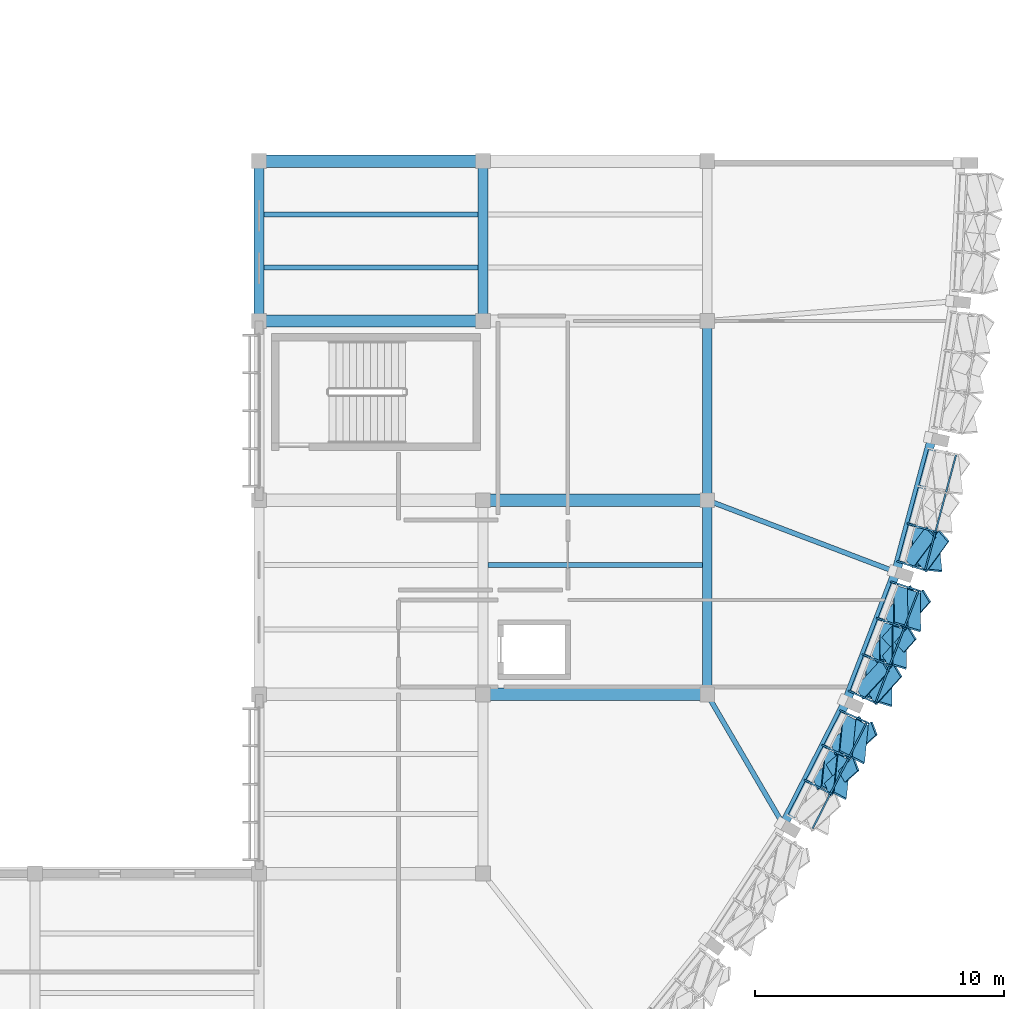
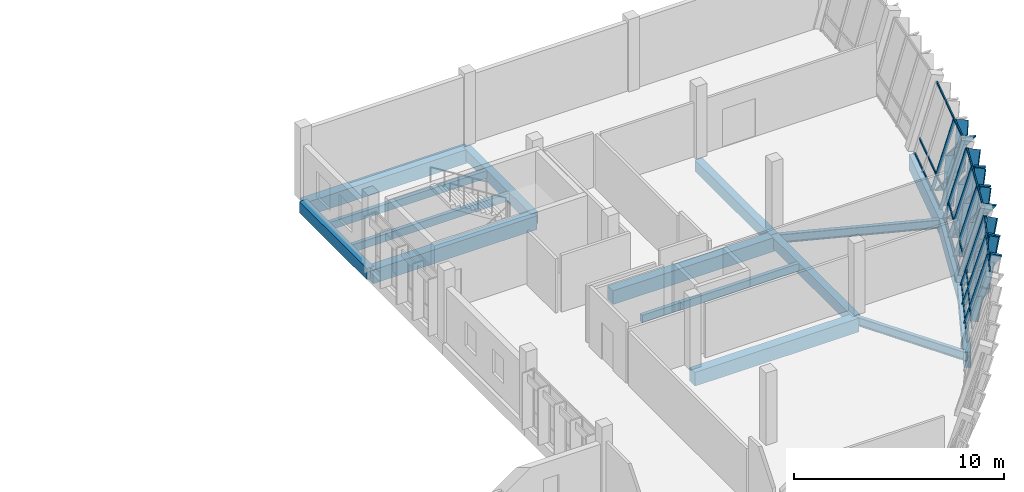
# One storey, part 56 of 107: 42 members, 16 beams, 3 elements without a shape of their own.
"""IFC4 building model written with IfcOpenShell, lengths in metres."""

from ifc_helpers import new_model, si_unit, direction, frame, origin, origin_2d, place, context, subcontext, project, spatial, rectangle, hollow_rectangle, i_section, extrude, material, material_profile, profile_set, type_object, element, aggregate, save


model = new_model("IFC4")

# Units and contexts
model_context = context("Model", 3, precision=1e-05, world=origin(), true_north=direction((0.0, 1.0)))
body_context = subcontext(model_context, "Body", "Model", "MODEL_VIEW")
ifc_project = project(units=[si_unit("LENGTHUNIT", "METRE"), si_unit("AREAUNIT", "SQUARE_METRE"), si_unit("VOLUMEUNIT", "CUBIC_METRE"), si_unit("PLANEANGLEUNIT", "RADIAN"), si_unit("MASSUNIT", "GRAM", prefix="KILO")], contexts=[model_context])

# Site, building, storey
site_placement = place(None, origin())
site = spatial("IfcSite", under=ifc_project, at=site_placement, CompositionType="ELEMENT")
building_placement = place(site_placement, origin())
building = spatial("IfcBuilding", under=site, at=building_placement, Name="Chiffa Square Polytechnic", CompositionType="ELEMENT")
storey_placement = place(building_placement, frame((0.0, 0.0, 13.800048828125)))
storey = spatial("IfcBuildingStorey", under=building, at=storey_placement, Name="L03", CompositionType="ELEMENT", Elevation=13.800048828125)

# Beams
ifc_material_1 = material(Name="Concrete C35/45", Category="concrete")
ifc_material_profile_1 = material_profile(ifc_material_1, rectangle(XDim=0.39990234375, YDim=0.64990234375, at=origin_2d()), Name="RC 400x650")
ifc_profile_set_1 = profile_set([ifc_material_profile_1], Name="Concrete C35/45")
beam_type_1 = type_object("IfcBeamType", Name="BM-RC-400X650", PredefinedType="BEAM", material=ifc_profile_set_1)
for number, where, z_axis, x_axis, name in (
    (1, (148.199951171875, 51.0, -0.5849609375), (0.0, 1.0, 0.0), (-1.0, 0.0, 0.0), "Primary floor girder BM-V1-L03-Y-1482-0510"),
    (2, (157.199951171875, 51.0, -0.5849609375), (0.0, 1.0, 0.0), (-1.0, 0.0, 0.0), "Primary floor girder BM-V1-L03-Y-1572-0510"),
):
    element("IfcBeam", number, at=place(storey_placement, frame(where, z_axis=z_axis, x_axis=x_axis)), inside=storey, type_object=beam_type_1, Name=name, PredefinedType="BEAM", context=body_context, shape_type="SweptSolid", body=[
        extrude(rectangle(XDim=0.39990234375, YDim=0.64990234375, at=origin_2d()), origin(), (0.0, 0.0, 1.0), 6.419921875),
    ])
beam_1_placement = place(storey_placement, frame((166.199951171875, 36.0, -0.5849609375), z_axis=(0.0, 1.0, 0.0), x_axis=(-1.0, 0.0, 0.0)))
element("IfcBeam", 3, at=beam_1_placement, inside=storey, type_object=beam_type_1, Name="Primary floor girder BM-V1-L03-Y-1662-0360", PredefinedType="BEAM", context=body_context, shape_type="SweptSolid", body=[
    extrude(rectangle(XDim=0.39990234375, YDim=0.64990234375, at=origin_2d()), origin(), (0.0, 0.0, 1.0), 7.800048828125),
])
beam_2_placement = place(storey_placement, frame((166.199951171875, 43.800048828125, -0.5849609375), z_axis=(0.0, 1.0, 0.0), x_axis=(-1.0, 0.0, 0.0)))
element("IfcBeam", 4, at=beam_2_placement, inside=storey, type_object=beam_type_1, Name="Primary floor girder BM-V1-L03-Y-1662-0438", PredefinedType="BEAM", context=body_context, shape_type="SweptSolid", body=[
    extrude(rectangle(XDim=0.39990234375, YDim=0.64990234375, at=origin_2d()), origin(), (0.0, 0.0, 1.0), 7.199951171875),
])
ifc_material_2 = material(Name="Concrete C40/50", Category="concrete")
ifc_material_profile_2 = material_profile(ifc_material_2, rectangle(XDim=0.5, YDim=0.800048828125, at=origin_2d()), Name="RC 500x800")
ifc_profile_set_2 = profile_set([ifc_material_profile_2], Name="Concrete C40/50")
beam_type_2 = type_object("IfcBeamType", Name="BM-RC-500X800", PredefinedType="BEAM", material=ifc_profile_set_2)
for number, where, z_axis, x_axis, name in (
    (5, (157.199951171875, 36.0, -0.66015625), (1.0, 0.0, 0.0), (0.0, 1.0, 0.0), "Primary floor girder BM-V1-L03-X-1572-0360"),
    (6, (157.199951171875, 43.800048828125, -0.66015625), (1.0, 0.0, 0.0), (0.0, 1.0, 0.0), "Primary floor girder BM-V1-L03-X-1572-0438"),
    (7, (148.199951171875, 51.0, -0.66015625), (1.0, 0.0, 0.0), (0.0, 1.0, 0.0), "Primary floor girder BM-V1-L03-X-1482-0510"),
    (8, (148.199951171875, 57.419921875, -0.66015625), (1.0, 0.0, 0.0), (0.0, 1.0, 0.0), "Primary floor girder BM-V1-L03-X-1482-0574"),
):
    element("IfcBeam", number, at=place(storey_placement, frame(where, z_axis=z_axis, x_axis=x_axis)), inside=storey, type_object=beam_type_2, Name=name, PredefinedType="BEAM", context=body_context, shape_type="SweptSolid", body=[
        extrude(rectangle(XDim=0.5, YDim=0.800048828125, at=origin_2d()), origin(), (0.0, 0.0, 1.0), 9.0),
    ])
ifc_material_3 = material(Name="Steel S355", Category="steel")
ifc_material_profile_3 = material_profile(ifc_material_3, i_section(OverallWidth=0.199951171875, OverallDepth=0.5, WebThickness=0.01025390625, FlangeThickness=0.01611328125, FilletRadius=0.02099609375, at=origin_2d()), Name="IPE 500")
ifc_profile_set_3 = profile_set([ifc_material_profile_3], Name="Steel S355")
beam_type_3 = type_object("IfcBeamType", Name="BM-STL-IPE500", PredefinedType="BEAM", material=ifc_profile_set_3)
beam_3_placement = place(storey_placement, frame((169.262939453125, 30.756103515625, -0.510009765625), z_axis=(-0.504368357763, 0.86348859847, 0.0), x_axis=(-0.86348859847, -0.504368357763, 0.0)))
element("IfcBeam", 9, at=beam_3_placement, inside=storey, type_object=beam_type_3, Name="Prow radial tie girder BM-V1-RAD-L03-13", PredefinedType="BEAM", context=body_context, shape_type="SweptSolid", body=[
    extrude(i_section(OverallWidth=0.199951171875, OverallDepth=0.5, WebThickness=0.01025390625, FlangeThickness=0.01611328125, FilletRadius=0.02099609375, at=origin_2d()), origin(), (0.0, 0.0, 1.0), 6.072998046875),
])
beam_4_placement = place(storey_placement, frame((173.784912109375, 40.9140625, -0.510009765625), z_axis=(-0.934632058525, 0.355616247065, 0.0), x_axis=(-0.355616247065, -0.934632058525, 0.0)))
element("IfcBeam", 10, at=beam_4_placement, inside=storey, type_object=beam_type_3, Name="Prow radial tie girder BM-V1-RAD-L03-15", PredefinedType="BEAM", context=body_context, shape_type="SweptSolid", body=[
    extrude(i_section(OverallWidth=0.199951171875, OverallDepth=0.5, WebThickness=0.01025390625, FlangeThickness=0.01611328125, FilletRadius=0.02099609375, at=origin_2d()), origin(), (0.0, 0.0, 1.0), 8.115478515625),
])

# Curtain wall, members
ifc_material_4 = material(Name="Aluminium EN AW-6060 T66 and glulam shading", Category="wood")
curtain_wall_type_1 = type_object("IfcCurtainWallType", Name="CW-PROW-LEAN-150", PredefinedType="USERDEFINED", material=ifc_material_4)
curtain_wall_1_placement = place(storey_placement, origin())
curtain_wall_1 = element("IfcCurtainWall", 11, at=curtain_wall_1_placement, inside=storey, type_object=curtain_wall_type_1, Name="Outward-leaning diamond-fin prow curtain wall CW-V1-L03-056", ObjectType="CURTAIN WALL", PredefinedType="USERDEFINED")
ifc_material_5 = material(Name="Aluminium EN AW-6060 T66", Category="aluminium")
ifc_material_profile_4 = material_profile(ifc_material_5, hollow_rectangle(XDim=0.06494140625, YDim=0.179931640625, WallThickness=0.00390625, at=origin_2d()), Name="ALU 65x180x4")
ifc_profile_set_4 = profile_set([ifc_material_profile_4], Name="Aluminium EN AW-6060 T66")
member_type_1 = type_object("IfcMemberType", Name="CWM-ALU-75X180", PredefinedType="MULLION", material=ifc_profile_set_4)
member_1_placement = place(storey_placement, frame((170.17041015625, 32.537109375, 0.0), z_axis=(0.240044418881, -0.127794285287, 0.962313513161), x_axis=(0.469931339753, 0.882702971513, 0.0)))
member_1 = element("IfcMember", 12, at=member_1_placement, type_object=member_type_1, Name="Leaning prow mullion CW-V1-L03-056-M01", PredefinedType="MULLION", context=body_context, shape_type="SweptSolid", body=[
    extrude(hollow_rectangle(XDim=0.06494140625, YDim=0.179931640625, WallThickness=0.00390625, at=origin_2d()), origin(), (0.0, 0.0, 1.0), 4.114990234375),
])
member_2_placement = place(storey_placement, frame((170.8828125, 33.93505859375, 0.0), z_axis=(0.244434472606, -0.119191469773, 0.962312413998), x_axis=(0.438290380807, 0.898833434009, 0.0)))
member_2 = element("IfcMember", 13, at=member_2_placement, type_object=member_type_1, Name="Leaning prow mullion CW-V1-L03-056-M02", PredefinedType="MULLION", context=body_context, shape_type="SweptSolid", body=[
    extrude(hollow_rectangle(XDim=0.06494140625, YDim=0.179931640625, WallThickness=0.00390625, at=origin_2d()), origin(), (0.0, 0.0, 1.0), 4.114990234375),
])
member_3_placement = place(storey_placement, frame((171.594970703125, 35.3330078125, 0.0), z_axis=(0.248801309028, -0.110578359568, 0.962221562334), x_axis=(0.406138466053, 0.91381154862, 0.0)))
member_3 = element("IfcMember", 14, at=member_3_placement, type_object=member_type_1, Name="Leaning prow mullion CW-V1-L03-056-M03", PredefinedType="MULLION", context=body_context, shape_type="SweptSolid", body=[
    extrude(hollow_rectangle(XDim=0.06494140625, YDim=0.179931640625, WallThickness=0.00390625, at=origin_2d()), origin(), (0.0, 0.0, 1.0), 4.115478515625),
])

curtain_wall_type_2 = type_object("IfcCurtainWallType", Name="CW-PROW-LEAN-300", PredefinedType="USERDEFINED", material=ifc_material_4)
curtain_wall_2_placement = place(storey_placement, origin())
curtain_wall_2 = element("IfcCurtainWall", 15, at=curtain_wall_2_placement, inside=storey, type_object=curtain_wall_type_2, Name="Outward-leaning diamond-fin prow curtain wall CW-V1-L03-057", ObjectType="CURTAIN WALL", PredefinedType="USERDEFINED")
member_4_placement = place(storey_placement, frame((171.944091796875, 36.116943359375, 0.0), z_axis=(0.248802940707, -0.110519761215, 0.962227872739), x_axis=(0.405956496327, 0.913892402359, 0.0)))
member_4 = element("IfcMember", 16, at=member_4_placement, type_object=member_type_1, Name="Leaning prow mullion CW-V1-L03-057-M00", PredefinedType="MULLION", context=body_context, shape_type="SweptSolid", body=[
    extrude(hollow_rectangle(XDim=0.06494140625, YDim=0.179931640625, WallThickness=0.00390625, at=origin_2d()), origin(), (0.0, 0.0, 1.0), 4.115478515625),
])
member_5_placement = place(storey_placement, frame((172.50634765625, 37.582275390625, 0.0), z_axis=(0.252207287057, -0.101689788289, 0.962315266071), x_axis=(0.373947147945, 0.927450015119, 0.0)))
member_5 = element("IfcMember", 17, at=member_5_placement, type_object=member_type_1, Name="Leaning prow mullion CW-V1-L03-057-M01", PredefinedType="MULLION", context=body_context, shape_type="SweptSolid", body=[
    extrude(hollow_rectangle(XDim=0.06494140625, YDim=0.179931640625, WallThickness=0.00390625, at=origin_2d()), origin(), (0.0, 0.0, 1.0), 4.114990234375),
])
member_6_placement = place(storey_placement, frame((173.068603515625, 39.047607421875, 0.0), z_axis=(0.255643397979, -0.092907301284, 0.962296568859), x_axis=(0.341567928404, 0.939857090353, 0.0)))
member_6 = element("IfcMember", 18, at=member_6_placement, type_object=member_type_1, Name="Leaning prow mullion CW-V1-L03-057-M02", PredefinedType="MULLION", context=body_context, shape_type="SweptSolid", body=[
    extrude(hollow_rectangle(XDim=0.06494140625, YDim=0.179931640625, WallThickness=0.00390625, at=origin_2d()), origin(), (0.0, 0.0, 1.0), 4.115234375),
])
member_7_placement = place(storey_placement, frame((173.631103515625, 40.512939453125, 0.0), z_axis=(0.259002287904, -0.084060064581, 0.962211889556), x_axis=(0.308701812847, 0.951158867248, 0.0)))
member_7 = element("IfcMember", 19, at=member_7_placement, type_object=member_type_1, Name="Leaning prow mullion CW-V1-L03-057-M03", PredefinedType="MULLION", context=body_context, shape_type="SweptSolid", body=[
    extrude(hollow_rectangle(XDim=0.06494140625, YDim=0.179931640625, WallThickness=0.00390625, at=origin_2d()), origin(), (0.0, 0.0, 1.0), 4.115478515625),
])

curtain_wall_3_placement = place(storey_placement, origin())
curtain_wall_3 = element("IfcCurtainWall", 20, at=curtain_wall_3_placement, inside=storey, type_object=curtain_wall_type_1, Name="Outward-leaning diamond-fin prow curtain wall CW-V1-L03-058", ObjectType="CURTAIN WALL", PredefinedType="USERDEFINED")
member_8_placement = place(storey_placement, frame((173.89599609375, 41.3291015625, 0.0), z_axis=(0.259000995902, -0.084118967519, 0.962207089677), x_axis=(0.308898887891, 0.95109488331, 0.0)))
member_8 = element("IfcMember", 21, at=member_8_placement, type_object=member_type_1, Name="Leaning prow mullion CW-V1-L03-058-M00", PredefinedType="MULLION", context=body_context, shape_type="SweptSolid", body=[
    extrude(hollow_rectangle(XDim=0.06494140625, YDim=0.179931640625, WallThickness=0.00390625, at=origin_2d()), origin(), (0.0, 0.0, 1.0), 4.115478515625),
])
member_9_placement = place(storey_placement, frame((174.30224609375, 42.8447265625, 0.0), z_axis=(0.261515342623, -0.074871225588, 0.962291029342), x_axis=(0.275239584915, 0.961375665854, 0.0)))
member_9 = element("IfcMember", 22, at=member_9_placement, type_object=member_type_1, Name="Leaning prow mullion CW-V1-L03-058-M01", PredefinedType="MULLION", context=body_context, shape_type="SweptSolid", body=[
    extrude(hollow_rectangle(XDim=0.06494140625, YDim=0.179931640625, WallThickness=0.00390625, at=origin_2d()), origin(), (0.0, 0.0, 1.0), 4.115234375),
])

# Member
ifc_material_6 = material(Name="Glulam GL28h", Category="wood")
ifc_material_profile_5 = material_profile(ifc_material_6, rectangle(XDim=0.080078125, YDim=0.580078125, at=origin_2d()), Name="GL28h 80x580")
ifc_profile_set_5 = profile_set([ifc_material_profile_5], Name="Glulam GL28h")
member_type_2 = type_object("IfcMemberType", Name="CWM-GL-80X580", PredefinedType="MULLION", material=ifc_profile_set_5)
member_10_placement = place(storey_placement, frame((170.553955078125, 32.43798828125, 0.0400390625), z_axis=(0.458190400297, 0.408516679537, 0.78941477033), x_axis=(-0.827129353262, -0.129224547461, 0.54695342517)))
member_10 = element("IfcMember", 23, at=member_10_placement, type_object=member_type_2, Name="Diamond glulam fin CW-V1-L03-056-DF03A", PredefinedType="MULLION", context=body_context, shape_type="SweptSolid", body=[
    extrude(rectangle(XDim=0.080078125, YDim=0.580078125, at=origin_2d()), origin(), (0.0, 0.0, 1.0), 2.45751953125),
])

member_11_placement = place(storey_placement, frame((171.18798828125, 33.68310546875, 0.0400390625), z_axis=(-0.060996888196, -0.610862973155, 0.789383181768), x_axis=(0.521628050014, 0.654756851933, 0.546989618078)))
member_11 = element("IfcMember", 24, at=member_11_placement, type_object=member_type_2, Name="Diamond glulam fin CW-V1-L03-056-DF03B", PredefinedType="MULLION", context=body_context, shape_type="SweptSolid", body=[
    extrude(rectangle(XDim=0.080078125, YDim=0.580078125, at=origin_2d()), origin(), (0.0, 0.0, 1.0), 2.45751953125),
])

member_12_placement = place(storey_placement, frame((171.0380859375, 32.181884765625, 1.97998046875), z_axis=(0.459614486042, 0.413009874002, 0.786242563206), x_axis=(-0.82451755769, -0.130555065687, 0.550568952888)))
member_12 = element("IfcMember", 25, at=member_12_placement, type_object=member_type_2, Name="Diamond glulam fin CW-V1-L03-056-DF04A", PredefinedType="MULLION", context=body_context, shape_type="SweptSolid", body=[
    extrude(rectangle(XDim=0.080078125, YDim=0.580078125, at=origin_2d()), origin(), (0.0, 0.0, 1.0), 2.46728515625),
])

member_13_placement = place(storey_placement, frame((171.679931640625, 33.44189453125, 1.97998046875), z_axis=(-0.063618562241, -0.614715594405, 0.786178997769), x_axis=(0.523689071114, 0.650034025282, 0.550641010798)))
member_13 = element("IfcMember", 26, at=member_13_placement, type_object=member_type_2, Name="Diamond glulam fin CW-V1-L03-056-DF04B", PredefinedType="MULLION", context=body_context, shape_type="SweptSolid", body=[
    extrude(rectangle(XDim=0.080078125, YDim=0.580078125, at=origin_2d()), origin(), (0.0, 0.0, 1.0), 2.467529296875),
])

member_14_placement = place(storey_placement, frame((171.26611328125, 33.8369140625, 0.0400390625), z_axis=(0.459773408858, 0.413281691525, 0.786006778569), x_axis=(-0.824341040918, -0.130542600942, 0.55083616221)))
member_14 = element("IfcMember", 27, at=member_14_placement, type_object=member_type_2, Name="Diamond glulam fin CW-V1-L03-056-DF05A", PredefinedType="MULLION", context=body_context, shape_type="SweptSolid", body=[
    extrude(rectangle(XDim=0.080078125, YDim=0.580078125, at=origin_2d()), origin(), (0.0, 0.0, 1.0), 2.468017578125),
])

member_15_placement = place(storey_placement, frame((171.89990234375, 35.0810546875, 0.0400390625), z_axis=(-0.057577465627, -0.606609035605, 0.7929125509), x_axis=(0.518717004488, 0.660430560225, 0.542921858444)))
member_15 = element("IfcMember", 28, at=member_15_placement, type_object=member_type_2, Name="Diamond glulam fin CW-V1-L03-056-DF05B", PredefinedType="MULLION", context=body_context, shape_type="SweptSolid", body=[
    extrude(rectangle(XDim=0.080078125, YDim=0.580078125, at=origin_2d()), origin(), (0.0, 0.0, 1.0), 2.446533203125),
])

member_16_placement = place(storey_placement, frame((171.759033203125, 33.596923828125, 1.97998046875), z_axis=(0.46140507927, 0.418277587866, 0.782399649996), x_axis=(-0.821402363241, -0.13185703346, 0.554898081083)))
member_16 = element("IfcMember", 29, at=member_16_placement, type_object=member_type_2, Name="Diamond glulam fin CW-V1-L03-056-DF06A", PredefinedType="MULLION", context=body_context, shape_type="SweptSolid", body=[
    extrude(rectangle(XDim=0.080078125, YDim=0.580078125, at=origin_2d()), origin(), (0.0, 0.0, 1.0), 2.4794921875),
])

member_17_placement = place(storey_placement, frame((172.40087890625, 34.85693359375, 1.97998046875), z_axis=(-0.06023792814, -0.610331483137, 0.789852437298), x_axis=(0.520918895605, 0.655769920012, 0.546451568036)))
member_17 = element("IfcMember", 30, at=member_17_placement, type_object=member_type_2, Name="Diamond glulam fin CW-V1-L03-056-DF06B", PredefinedType="MULLION", context=body_context, shape_type="SweptSolid", body=[
    extrude(rectangle(XDim=0.080078125, YDim=0.580078125, at=origin_2d()), origin(), (0.0, 0.0, 1.0), 2.4560546875),
])

member_18_placement = place(storey_placement, frame((172.3349609375, 36.05908203125, 0.0400390625), z_axis=(0.412386310489, 0.448705840374, 0.792843363935), x_axis=(-0.764725421384, -0.302479021605, 0.568947687734)))
member_18 = element("IfcMember", 31, at=member_18_placement, type_object=member_type_2, Name="Diamond glulam fin CW-V1-L03-057-DF01A", PredefinedType="MULLION", context=body_context, shape_type="SweptSolid", body=[
    extrude(rectangle(XDim=0.080078125, YDim=0.580078125, at=origin_2d()), origin(), (0.0, 0.0, 1.0), 2.44677734375),
])

member_19_placement = place(storey_placement, frame((172.8359375, 37.363037109375, 0.0400390625), z_axis=(0.000395644326, -0.618293170152, 0.785947453211), x_axis=(0.357898354493, 0.7339743271, 0.577226519669)))
member_19 = element("IfcMember", 32, at=member_19_placement, type_object=member_type_2, Name="Diamond glulam fin CW-V1-L03-057-DF01B", PredefinedType="MULLION", context=body_context, shape_type="SweptSolid", body=[
    extrude(rectangle(XDim=0.080078125, YDim=0.580078125, at=origin_2d()), origin(), (0.0, 0.0, 1.0), 2.46826171875),
])

member_20_placement = place(storey_placement, frame((172.8369140625, 35.8369140625, 1.97998046875), z_axis=(0.413227711015, 0.453477163386, 0.789684317393), x_axis=(-0.761445689736, -0.303548607136, 0.572764091654)))
member_20 = element("IfcMember", 33, at=member_20_placement, type_object=member_type_2, Name="Diamond glulam fin CW-V1-L03-057-DF02A", PredefinedType="MULLION", context=body_context, shape_type="SweptSolid", body=[
    extrude(rectangle(XDim=0.080078125, YDim=0.580078125, at=origin_2d()), origin(), (0.0, 0.0, 1.0), 2.45654296875),
])

member_21_placement = place(storey_placement, frame((173.343994140625, 37.156982421875, 1.97998046875), z_axis=(-0.001970360423, -0.62223982164, 0.782824196129), x_axis=(0.36068035705, 0.729690894545, 0.580913830492)))
member_21 = element("IfcMember", 34, at=member_21_placement, type_object=member_type_2, Name="Diamond glulam fin CW-V1-L03-057-DF02B", PredefinedType="MULLION", context=body_context, shape_type="SweptSolid", body=[
    extrude(rectangle(XDim=0.080078125, YDim=0.580078125, at=origin_2d()), origin(), (0.0, 0.0, 1.0), 2.47802734375),
])

member_22_placement = place(storey_placement, frame((172.89794921875, 37.52392578125, 0.0400390625), z_axis=(0.413314930523, 0.4544279486, 0.789091888019), x_axis=(-0.760788616557, -0.303853225872, 0.57347528111)))
member_22 = element("IfcMember", 35, at=member_22_placement, type_object=member_type_2, Name="Diamond glulam fin CW-V1-L03-057-DF03A", PredefinedType="MULLION", context=body_context, shape_type="SweptSolid", body=[
    extrude(rectangle(XDim=0.080078125, YDim=0.580078125, at=origin_2d()), origin(), (0.0, 0.0, 1.0), 2.45849609375),
])

member_23_placement = place(storey_placement, frame((173.39892578125, 38.8291015625, 0.0400390625), z_axis=(0.003278032671, -0.613985452757, 0.789310533507), x_axis=(0.354428712718, 0.738787640941, 0.573212970191)))
member_23 = element("IfcMember", 36, at=member_23_placement, type_object=member_type_2, Name="Diamond glulam fin CW-V1-L03-057-DF03B", PredefinedType="MULLION", context=body_context, shape_type="SweptSolid", body=[
    extrude(rectangle(XDim=0.080078125, YDim=0.580078125, at=origin_2d()), origin(), (0.0, 0.0, 1.0), 2.457763671875),
])

member_24_placement = place(storey_placement, frame((173.406982421875, 37.320068359375, 1.97998046875), z_axis=(0.413835254834, 0.458761415928, 0.786306775446), x_axis=(-0.757795956601, -0.305036431288, 0.576799847214)))
member_24 = element("IfcMember", 37, at=member_24_placement, type_object=member_type_2, Name="Diamond glulam fin CW-V1-L03-057-DF04A", PredefinedType="MULLION", context=body_context, shape_type="SweptSolid", body=[
    extrude(rectangle(XDim=0.080078125, YDim=0.580078125, at=origin_2d()), origin(), (0.0, 0.0, 1.0), 2.467041015625),
])

member_25_placement = place(storey_placement, frame((173.9140625, 38.64111328125, 1.97998046875), z_axis=(0.000791482043, -0.618048540404, 0.786139539307), x_axis=(0.357427781977, 0.73438281547, 0.576998493077)))
member_25 = element("IfcMember", 38, at=member_25_placement, type_object=member_type_2, Name="Diamond glulam fin CW-V1-L03-057-DF04B", PredefinedType="MULLION", context=body_context, shape_type="SweptSolid", body=[
    extrude(rectangle(XDim=0.080078125, YDim=0.580078125, at=origin_2d()), origin(), (0.0, 0.0, 1.0), 2.4677734375),
])

member_26_placement = place(storey_placement, frame((173.4599609375, 38.989990234375, 0.0400390625), z_axis=(0.414321704495, 0.459313679565, 0.785727986614), x_axis=(-0.757429735483, -0.304645874906, 0.577486871459)))
member_26 = element("IfcMember", 39, at=member_26_placement, type_object=member_type_2, Name="Diamond glulam fin CW-V1-L03-057-DF05A", PredefinedType="MULLION", context=body_context, shape_type="SweptSolid", body=[
    extrude(rectangle(XDim=0.080078125, YDim=0.580078125, at=origin_2d()), origin(), (0.0, 0.0, 1.0), 2.468994140625),
])

member_27_placement = place(storey_placement, frame((173.9609375, 40.294921875, 0.0400390625), z_axis=(0.006186460005, -0.609366310482, 0.792864696756), x_axis=(0.35083511904, 0.743802884571, 0.568921776831)))
member_27 = element("IfcMember", 40, at=member_27_placement, type_object=member_type_2, Name="Diamond glulam fin CW-V1-L03-057-DF05B", PredefinedType="MULLION", context=body_context, shape_type="SweptSolid", body=[
    extrude(rectangle(XDim=0.080078125, YDim=0.580078125, at=origin_2d()), origin(), (0.0, 0.0, 1.0), 2.44677734375),
])

member_28_placement = place(storey_placement, frame((173.97607421875, 38.803955078125, 1.97998046875), z_axis=(0.415036001774, 0.463985430555, 0.782599921712), x_axis=(-0.754204418966, -0.305628565943, 0.58117714519)))
member_28 = element("IfcMember", 41, at=member_28_placement, type_object=member_type_2, Name="Diamond glulam fin CW-V1-L03-057-DF06A", PredefinedType="MULLION", context=body_context, shape_type="SweptSolid", body=[
    extrude(rectangle(XDim=0.080078125, YDim=0.580078125, at=origin_2d()), origin(), (0.0, 0.0, 1.0), 2.478759765625),
])

member_29_placement = place(storey_placement, frame((174.48291015625, 40.1240234375, 1.97998046875), z_axis=(0.003677158313, -0.613489142309, 0.789694593356), x_axis=(0.353942669561, 0.739378135517, 0.572751743239)))
member_29 = element("IfcMember", 42, at=member_29_placement, type_object=member_type_2, Name="Diamond glulam fin CW-V1-L03-057-DF06B", PredefinedType="MULLION", context=body_context, shape_type="SweptSolid", body=[
    extrude(rectangle(XDim=0.080078125, YDim=0.580078125, at=origin_2d()), origin(), (0.0, 0.0, 1.0), 2.45654296875),
])

member_30_placement = place(storey_placement, frame((174.291015625, 41.31201171875, 0.0400390625), z_axis=(0.363310284212, 0.489236562343, 0.792876549945), x_axis=(-0.664391691629, -0.460556642302, 0.588618092931)))
member_30 = element("IfcMember", 43, at=member_30_placement, type_object=member_type_2, Name="Diamond glulam fin CW-V1-L03-058-DF01A", PredefinedType="MULLION", context=body_context, shape_type="SweptSolid", body=[
    extrude(rectangle(XDim=0.080078125, YDim=0.580078125, at=origin_2d()), origin(), (0.0, 0.0, 1.0), 2.44677734375),
])

member_31_placement = place(storey_placement, frame((174.653076171875, 42.660888671875, 0.0400390625), z_axis=(0.065179101844, -0.614899053358, 0.785907652884), x_axis=(0.177358060118, 0.782181241537, 0.597274328847)))
member_31 = element("IfcMember", 44, at=member_31_placement, type_object=member_type_2, Name="Diamond glulam fin CW-V1-L03-058-DF01B", PredefinedType="MULLION", context=body_context, shape_type="SweptSolid", body=[
    extrude(rectangle(XDim=0.080078125, YDim=0.580078125, at=origin_2d()), origin(), (0.0, 0.0, 1.0), 2.468505859375),
])

member_32_placement = place(storey_placement, frame((174.81396484375, 41.14306640625, 1.97998046875), z_axis=(0.363551724209, 0.494144115027, 0.789716238537), x_axis=(-0.660525049005, -0.461052003904, 0.592568738066)))
member_32 = element("IfcMember", 45, at=member_32_placement, type_object=member_type_2, Name="Diamond glulam fin CW-V1-L03-058-DF02A", PredefinedType="MULLION", context=body_context, shape_type="SweptSolid", body=[
    extrude(rectangle(XDim=0.080078125, YDim=0.580078125, at=origin_2d()), origin(), (0.0, 0.0, 1.0), 2.45654296875),
])

member_33_placement = place(storey_placement, frame((175.179931640625, 42.509033203125, 1.97998046875), z_axis=(0.062955412647, -0.619012296813, 0.782854004532), x_axis=(0.180979801616, 0.778485799564, 0.601004302218)))
member_33 = element("IfcMember", 46, at=member_33_placement, type_object=member_type_2, Name="Diamond glulam fin CW-V1-L03-058-DF02B", PredefinedType="MULLION", context=body_context, shape_type="SweptSolid", body=[
    extrude(rectangle(XDim=0.080078125, YDim=0.580078125, at=origin_2d()), origin(), (0.0, 0.0, 1.0), 2.47802734375),
])

ifc_material_profile_6 = material_profile(ifc_material_5, hollow_rectangle(XDim=0.06494140625, YDim=0.139892578125, WallThickness=0.00390625, at=origin_2d()), Name="ALU 65x140x4")
ifc_profile_set_6 = profile_set([ifc_material_profile_6], Name="Aluminium EN AW-6060 T66")
member_type_3 = type_object("IfcMemberType", Name="CWT-ALU-75X140", PredefinedType="USERDEFINED", material=ifc_profile_set_6)
member_34_placement = place(storey_placement, frame((169.4677734375, 31.13330078125, 0.0400390625), z_axis=(0.453983262684, 0.891010211615, 0.0), x_axis=(-0.891010211615, 0.453983262684, 0.0)))
member_34 = element("IfcMember", 47, at=member_34_placement, type_object=member_type_3, Name="Leaning prow transom CW-V1-L03-056-T01", ObjectType="TRANSOM", PredefinedType="USERDEFINED", context=body_context, shape_type="SweptSolid", body=[
    extrude(hollow_rectangle(XDim=0.06494140625, YDim=0.139892578125, WallThickness=0.00390625, at=origin_2d()), origin(), (0.0, 0.0, 1.0), 4.708251953125),
])

member_35_placement = place(storey_placement, frame((169.666259765625, 31.0185546875, 0.849853515625), z_axis=(0.453969057136, 0.891017449415, 0.0), x_axis=(-0.891017449415, 0.453969057136, 0.0)))
member_35 = element("IfcMember", 48, at=member_35_placement, type_object=member_type_3, Name="Leaning prow transom CW-V1-L03-056-T02", ObjectType="TRANSOM", PredefinedType="USERDEFINED", context=body_context, shape_type="SweptSolid", body=[
    extrude(hollow_rectangle(XDim=0.06494140625, YDim=0.139892578125, WallThickness=0.00390625, at=origin_2d()), origin(), (0.0, 0.0, 1.0), 4.732666015625),
])

member_36_placement = place(storey_placement, frame((170.418212890625, 30.583740234375, 3.919921875), z_axis=(0.454001582733, 0.891000877035, 0.0), x_axis=(-0.891000877035, 0.454001582733, 0.0)))
member_36 = element("IfcMember", 49, at=member_36_placement, type_object=member_type_3, Name="Leaning prow transom CW-V1-L03-056-T03", ObjectType="TRANSOM", PredefinedType="USERDEFINED", context=body_context, shape_type="SweptSolid", body=[
    extrude(hollow_rectangle(XDim=0.06494140625, YDim=0.139892578125, WallThickness=0.00390625, at=origin_2d()), origin(), (0.0, 0.0, 1.0), 4.82470703125),
])

aggregate(curtain_wall_1, [member_1, member_2, member_3, member_34, member_35, member_36, member_10, member_11, member_12, member_13, member_14, member_15, member_16, member_17])

member_37_placement = place(storey_placement, frame((171.954345703125, 36.1123046875, 0.0400390625), z_axis=(0.358287750304, 0.933611208149, 0.0), x_axis=(-0.933611208149, 0.358287750304, 0.0)))
member_37 = element("IfcMember", 50, at=member_37_placement, type_object=member_type_3, Name="Leaning prow transom CW-V1-L03-057-T01", ObjectType="TRANSOM", PredefinedType="USERDEFINED", context=body_context, shape_type="SweptSolid", body=[
    extrude(hollow_rectangle(XDim=0.06494140625, YDim=0.139892578125, WallThickness=0.00390625, at=origin_2d()), origin(), (0.0, 0.0, 1.0), 4.7099609375),
])

member_38_placement = place(storey_placement, frame((172.163818359375, 36.019287109375, 0.849853515625), z_axis=(0.358291227138, 0.933609873853, 0.0), x_axis=(-0.933609873853, 0.358291227138, 0.0)))
member_38 = element("IfcMember", 51, at=member_38_placement, type_object=member_type_3, Name="Leaning prow transom CW-V1-L03-057-T02", ObjectType="TRANSOM", PredefinedType="USERDEFINED", context=body_context, shape_type="SweptSolid", body=[
    extrude(hollow_rectangle(XDim=0.06494140625, YDim=0.139892578125, WallThickness=0.00390625, at=origin_2d()), origin(), (0.0, 0.0, 1.0), 4.733642578125),
])

member_39_placement = place(storey_placement, frame((172.957763671875, 35.66650390625, 3.919921875), z_axis=(0.358300740362, 0.93360622291, 0.0), x_axis=(-0.93360622291, 0.358300740362, 0.0)))
member_39 = element("IfcMember", 52, at=member_39_placement, type_object=member_type_3, Name="Leaning prow transom CW-V1-L03-057-T03", ObjectType="TRANSOM", PredefinedType="USERDEFINED", context=body_context, shape_type="SweptSolid", body=[
    extrude(hollow_rectangle(XDim=0.06494140625, YDim=0.139892578125, WallThickness=0.00390625, at=origin_2d()), origin(), (0.0, 0.0, 1.0), 4.82421875),
])

aggregate(curtain_wall_2, [member_4, member_5, member_6, member_7, member_37, member_38, member_39, member_18, member_19, member_20, member_21, member_22, member_23, member_24, member_25, member_26, member_27, member_28, member_29])

member_40_placement = place(storey_placement, frame((173.90673828125, 41.325439453125, 0.0400390625), z_axis=(0.258969313954, 0.965885549343, 0.0), x_axis=(-0.965885549343, 0.258969313954, 0.0)))
member_40 = element("IfcMember", 53, at=member_40_placement, type_object=member_type_3, Name="Leaning prow transom CW-V1-L03-058-T01", ObjectType="TRANSOM", PredefinedType="USERDEFINED", context=body_context, shape_type="SweptSolid", body=[
    extrude(hollow_rectangle(XDim=0.06494140625, YDim=0.139892578125, WallThickness=0.00390625, at=origin_2d()), origin(), (0.0, 0.0, 1.0), 4.708984375),
])

member_41_placement = place(storey_placement, frame((174.124755859375, 41.254638671875, 0.849853515625), z_axis=(0.25894664698, 0.965891626435, 0.0), x_axis=(-0.965891626435, 0.25894664698, 0.0)))
member_41 = element("IfcMember", 54, at=member_41_placement, type_object=member_type_3, Name="Leaning prow transom CW-V1-L03-058-T02", ObjectType="TRANSOM", PredefinedType="USERDEFINED", context=body_context, shape_type="SweptSolid", body=[
    extrude(hollow_rectangle(XDim=0.06494140625, YDim=0.139892578125, WallThickness=0.00390625, at=origin_2d()), origin(), (0.0, 0.0, 1.0), 4.73291015625),
])

member_42_placement = place(storey_placement, frame((174.951171875, 40.986572265625, 3.919921875), z_axis=(0.258862566656, 0.965914163673, 0.0), x_axis=(-0.965914163673, 0.258862566656, 0.0)))
member_42 = element("IfcMember", 55, at=member_42_placement, type_object=member_type_3, Name="Leaning prow transom CW-V1-L03-058-T03", ObjectType="TRANSOM", PredefinedType="USERDEFINED", context=body_context, shape_type="SweptSolid", body=[
    extrude(hollow_rectangle(XDim=0.06494140625, YDim=0.139892578125, WallThickness=0.00390625, at=origin_2d()), origin(), (0.0, 0.0, 1.0), 4.82421875),
])

aggregate(curtain_wall_3, [member_8, member_9, member_40, member_41, member_42, member_30, member_31, member_32, member_33])

# Beams
ifc_material_profile_7 = material_profile(ifc_material_6, rectangle(XDim=0.199951171875, YDim=0.43994140625, at=origin_2d()), Name="GL28h 200x440")
ifc_profile_set_7 = profile_set([ifc_material_profile_7], Name="Glulam GL28h")
beam_type_4 = type_object("IfcBeamType", Name="JST-GL-200X440", PredefinedType="JOIST", material=ifc_profile_set_7)
for number, where, z_axis, x_axis, name in (
    (56, (148.39794921875, 53.139892578125, -0.47998046875), (1.0, 0.0, 0.0), (0.0, 1.0, 0.0), "Secondary floor joist JST-V1-L03-1482-0531"),
    (57, (148.39794921875, 55.280029296875, -0.47998046875), (1.0, 0.0, 0.0), (0.0, 1.0, 0.0), "Secondary floor joist JST-V1-L03-1482-0553"),
    (58, (157.39794921875, 41.199951171875, -0.47998046875), (1.0, 0.0, 0.0), (0.0, 1.0, 0.0), "Secondary floor joist JST-V1-L03-1572-0412"),
):
    element("IfcBeam", number, at=place(storey_placement, frame(where, z_axis=z_axis, x_axis=x_axis)), inside=storey, type_object=beam_type_4, Name=name, PredefinedType="JOIST", context=body_context, shape_type="SweptSolid", body=[
        extrude(rectangle(XDim=0.199951171875, YDim=0.43994140625, at=origin_2d()), origin(), (0.0, 0.0, 1.0), 8.60400390625),
    ])
ifc_material_7 = material(Name="Glulam GL32c", Category="wood")
ifc_material_profile_8 = material_profile(ifc_material_7, rectangle(XDim=0.360107421875, YDim=0.89990234375, at=origin_2d()), Name="GL32c 360x900")
ifc_profile_set_8 = profile_set([ifc_material_profile_8], Name="Glulam GL32c")
beam_type_5 = type_object("IfcBeamType", Name="RB-GL-360X900", PredefinedType="SPANDREL", material=ifc_profile_set_8)
beam_5_placement = place(storey_placement, frame((169.262939453125, 30.756103515625, -0.7099609375), z_axis=(0.45397242778, 0.891015732081, 0.0), x_axis=(-0.891015732081, 0.45397242778, 0.0)))
element("IfcBeam", 59, at=beam_5_placement, inside=storey, type_object=beam_type_5, Name="Prow perimeter edge beam RB-V1-PROW-L03-13", PredefinedType="SPANDREL", context=body_context, shape_type="SweptSolid", body=[
    extrude(rectangle(XDim=0.360107421875, YDim=0.89990234375, at=origin_2d()), origin(), (0.0, 0.0, 1.0), 5.566650390625),
])
beam_6_placement = place(storey_placement, frame((171.7900390625, 35.716064453125, -0.7099609375), z_axis=(0.358297276321, 0.933607552337, 0.0), x_axis=(-0.933607552337, 0.358297276321, 0.0)))
element("IfcBeam", 60, at=beam_6_placement, inside=storey, type_object=beam_type_5, Name="Prow perimeter edge beam RB-V1-PROW-L03-14", PredefinedType="SPANDREL", context=body_context, shape_type="SweptSolid", body=[
    extrude(rectangle(XDim=0.360107421875, YDim=0.89990234375, at=origin_2d()), origin(), (0.0, 0.0, 1.0), 5.567626953125),
])
beam_7_placement = place(storey_placement, frame((173.784912109375, 40.9140625, -0.7099609375), z_axis=(0.258888074505, 0.965907327273, 0.0), x_axis=(-0.965907327273, 0.258888074505, 0.0)))
element("IfcBeam", 61, at=beam_7_placement, inside=storey, type_object=beam_type_5, Name="Prow perimeter edge beam RB-V1-PROW-L03-15", PredefinedType="SPANDREL", context=body_context, shape_type="SweptSolid", body=[
    extrude(rectangle(XDim=0.360107421875, YDim=0.89990234375, at=origin_2d()), origin(), (0.0, 0.0, 1.0), 5.566650390625),
])

save(model, "model.ifc")
